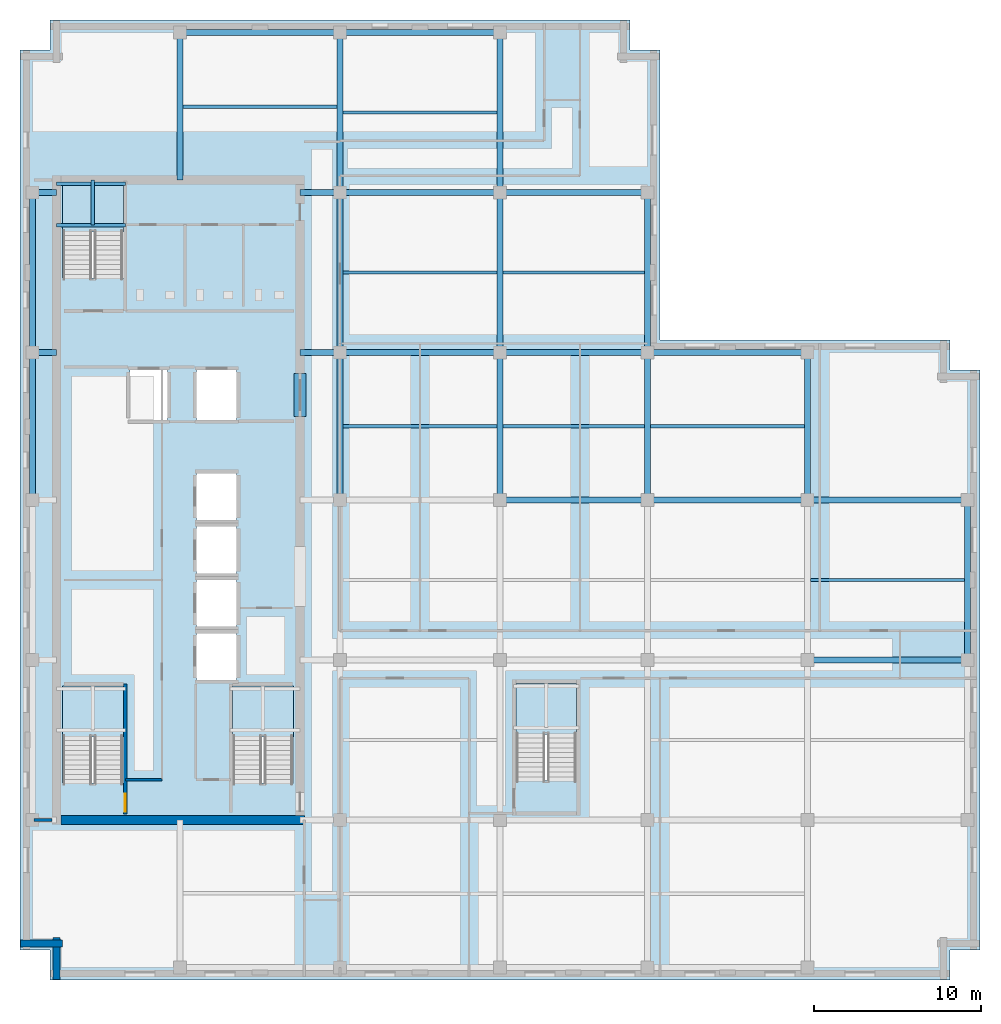
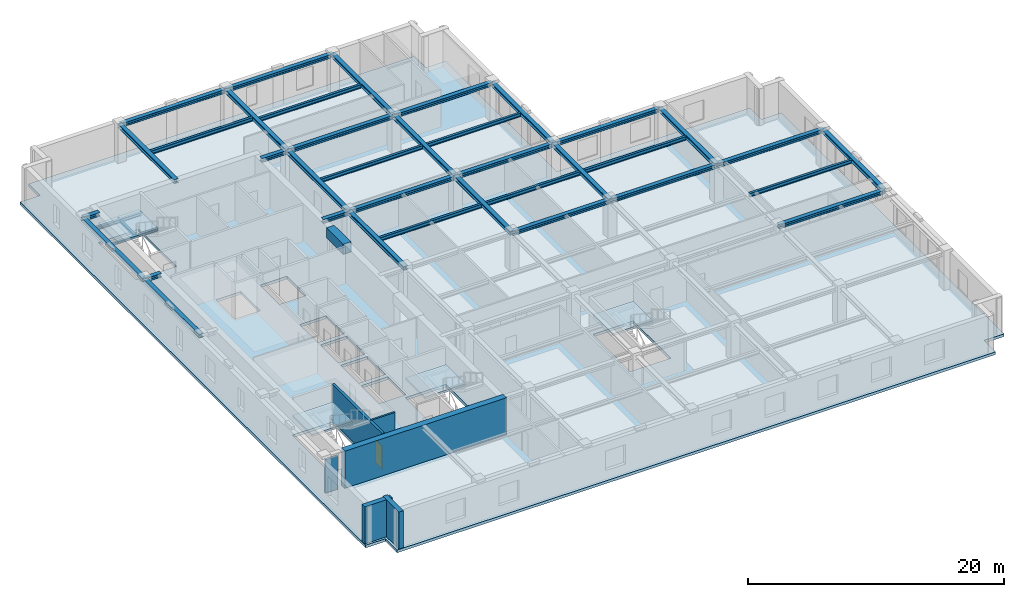
# One storey, part 2 of 10: 40 beams, 6 walls, 5 slabs, 1 door, 1 opening, 4 elements without a shape of their own.
"""IFC4 building model written with IfcOpenShell, lengths in metres."""

from ifc_helpers import new_model, si_unit, direction, frame, frame_2d, origin, origin_2d, place, context, subcontext, project, spatial, polyline, rectangle, i_section, outline, extrude, material, layer, layer_set, material_profile, profile_set, type_object, element, fill, aggregate, save


model = new_model("IFC4")

# Units and contexts
model_context = context("Model", 3, precision=1e-05, world=origin(), true_north=direction((0.0, 1.0)))
body_context = subcontext(model_context, "Body", "Model", "MODEL_VIEW")
ifc_project = project(units=[si_unit("LENGTHUNIT", "METRE"), si_unit("AREAUNIT", "SQUARE_METRE"), si_unit("VOLUMEUNIT", "CUBIC_METRE"), si_unit("PLANEANGLEUNIT", "RADIAN"), si_unit("MASSUNIT", "GRAM", prefix="KILO")], contexts=[model_context])

# Site, building, storey
site_placement = place(None, origin())
site = spatial("IfcSite", under=ifc_project, at=site_placement, CompositionType="ELEMENT")
building_placement = place(site_placement, origin())
building = spatial("IfcBuilding", under=site, at=building_placement, Name="Norrvale University Quadrangle", CompositionType="ELEMENT")
storey_placement = place(building_placement, frame((0.0, 0.0, 233.199951171875)))
storey = spatial("IfcBuildingStorey", under=building, at=storey_placement, Name="L59", CompositionType="ELEMENT", Elevation=233.199951171875)

# Beams
ifc_material_1 = material(Name="Concrete C80/95", Category="concrete")
ifc_material_profile_1 = material_profile(ifc_material_1, rectangle(XDim=0.699951171875, YDim=0.949951171875, at=origin_2d()), Name="Concrete C80/95")
ifc_profile_set_1 = profile_set([ifc_material_profile_1], Name="Concrete C80/95")
beam_type_1 = type_object("IfcBeamType", Name="Beam Core Link 700x950", PredefinedType="LINTEL", material=ifc_profile_set_1)
beam_1_placement = place(storey_placement, frame((16.800048828125, 33.800048828125, 3.06494140625), z_axis=(0.0, 1.0, 0.0), x_axis=(-1.0, 0.0, 0.0)))
element("IfcBeam", 1, at=beam_1_placement, inside=storey, type_object=beam_type_1, Name="Core Coupling Lintel Beam L59-2", PredefinedType="LINTEL", context=body_context, shape_type="SweptSolid", body=[
    extrude(rectangle(XDim=0.699951171875, YDim=0.949951171875, at=origin_2d()), origin(), (0.0, 0.0, 1.0), 2.599853515625),
])
ifc_material_2 = material(Name="Steel 350W", Category="steel")
ifc_material_profile_2 = material_profile(ifc_material_2, i_section(OverallWidth=0.368896484375, OverallDepth=0.35595703125, WebThickness=0.01123046875, FlangeThickness=0.01806640625, FilletRadius=0.014892578125, at=origin_2d()), Name="Steel 350W")
ifc_profile_set_2 = profile_set([ifc_material_profile_2], Name="Steel 350W")
beam_type_2 = type_object("IfcBeamType", Name="Beam Crown W360x134", PredefinedType="BEAM", material=ifc_profile_set_2)
beam_2_placement = place(storey_placement, frame((47.25, 19.199951171875, 3.362060546875), z_axis=(1.0, 0.0, 0.0), x_axis=(0.0, 1.0, 0.0)))
element("IfcBeam", 2, at=beam_2_placement, inside=storey, type_object=beam_type_2, Name="Beam Crown W360x134 BM-L59-GX012", PredefinedType="BEAM", context=body_context, shape_type="SweptSolid", body=[
    extrude(i_section(OverallWidth=0.368896484375, OverallDepth=0.35595703125, WebThickness=0.01123046875, FlangeThickness=0.01806640625, FilletRadius=0.014892578125, at=origin_2d()), origin(), (0.0, 0.0, 1.0), 9.60009765625),
])
beam_3_placement = place(storey_placement, frame((28.800048828125, 28.800048828125, 3.362060546875), z_axis=(1.0, 0.0, 0.0), x_axis=(0.0, 1.0, 0.0)))
element("IfcBeam", 3, at=beam_3_placement, inside=storey, type_object=beam_type_2, Name="Beam Crown W360x134 BM-L59-GX014", PredefinedType="BEAM", context=body_context, shape_type="SweptSolid", body=[
    extrude(i_section(OverallWidth=0.368896484375, OverallDepth=0.35595703125, WebThickness=0.01123046875, FlangeThickness=0.01806640625, FilletRadius=0.014892578125, at=origin_2d()), origin(), (0.0, 0.0, 1.0), 8.849853515625),
])
for number, where, z_axis, x_axis, name in (
    (4, (37.64990234375, 28.800048828125, 3.362060546875), (1.0, 0.0, 0.0), (0.0, 1.0, 0.0), "Beam Crown W360x134 BM-L59-GX015"),
    (5, (47.25, 28.800048828125, 3.362060546875), (1.0, 0.0, 0.0), (0.0, 1.0, 0.0), "Beam Crown W360x134 BM-L59-GX016"),
    (6, (19.199951171875, 37.64990234375, 3.362060546875), (1.0, 0.0, 0.0), (0.0, 1.0, 0.0), "Beam Crown W360x134 BM-L59-GX017"),
):
    element("IfcBeam", number, at=place(storey_placement, frame(where, z_axis=z_axis, x_axis=x_axis)), inside=storey, type_object=beam_type_2, Name=name, PredefinedType="BEAM", context=body_context, shape_type="SweptSolid", body=[
        extrude(i_section(OverallWidth=0.368896484375, OverallDepth=0.35595703125, WebThickness=0.01123046875, FlangeThickness=0.01806640625, FilletRadius=0.014892578125, at=origin_2d()), origin(), (0.0, 0.0, 1.0), 9.60009765625),
    ])
beam_4_placement = place(storey_placement, frame((28.800048828125, 37.64990234375, 3.362060546875), z_axis=(1.0, 0.0, 0.0), x_axis=(0.0, 1.0, 0.0)))
element("IfcBeam", 7, at=beam_4_placement, inside=storey, type_object=beam_type_2, Name="Beam Crown W360x134 BM-L59-GX018", PredefinedType="BEAM", context=body_context, shape_type="SweptSolid", body=[
    extrude(i_section(OverallWidth=0.368896484375, OverallDepth=0.35595703125, WebThickness=0.01123046875, FlangeThickness=0.01806640625, FilletRadius=0.014892578125, at=origin_2d()), origin(), (0.0, 0.0, 1.0), 8.849853515625),
])
for number, where, z_axis, x_axis, name in (
    (8, (37.64990234375, 37.64990234375, 3.362060546875), (1.0, 0.0, 0.0), (0.0, 1.0, 0.0), "Beam Crown W360x134 BM-L59-GX019"),
    (9, (19.199951171875, 47.25, 3.362060546875), (1.0, 0.0, 0.0), (0.0, 1.0, 0.0), "Beam Crown W360x134 BM-L59-GX020"),
):
    element("IfcBeam", number, at=place(storey_placement, frame(where, z_axis=z_axis, x_axis=x_axis)), inside=storey, type_object=beam_type_2, Name=name, PredefinedType="BEAM", context=body_context, shape_type="SweptSolid", body=[
        extrude(i_section(OverallWidth=0.368896484375, OverallDepth=0.35595703125, WebThickness=0.01123046875, FlangeThickness=0.01806640625, FilletRadius=0.014892578125, at=origin_2d()), origin(), (0.0, 0.0, 1.0), 9.60009765625),
    ])
beam_5_placement = place(storey_placement, frame((28.800048828125, 47.25, 3.362060546875), z_axis=(1.0, 0.0, 0.0), x_axis=(0.0, 1.0, 0.0)))
element("IfcBeam", 10, at=beam_5_placement, inside=storey, type_object=beam_type_2, Name="Beam Crown W360x134 BM-L59-GX021", PredefinedType="BEAM", context=body_context, shape_type="SweptSolid", body=[
    extrude(i_section(OverallWidth=0.368896484375, OverallDepth=0.35595703125, WebThickness=0.01123046875, FlangeThickness=0.01806640625, FilletRadius=0.014892578125, at=origin_2d()), origin(), (0.0, 0.0, 1.0), 8.849853515625),
])
beam_6_placement = place(storey_placement, frame((9.60009765625, 56.85009765625, 3.362060546875), z_axis=(1.0, 0.0, 0.0), x_axis=(0.0, 1.0, 0.0)))
element("IfcBeam", 11, at=beam_6_placement, inside=storey, type_object=beam_type_2, Name="Beam Crown W360x134 BM-L59-GX022", PredefinedType="BEAM", context=body_context, shape_type="SweptSolid", body=[
    extrude(i_section(OverallWidth=0.368896484375, OverallDepth=0.35595703125, WebThickness=0.01123046875, FlangeThickness=0.01806640625, FilletRadius=0.014892578125, at=origin_2d()), origin(), (0.0, 0.0, 1.0), 9.599853515625),
])
beam_7_placement = place(storey_placement, frame((19.199951171875, 56.85009765625, 3.362060546875), z_axis=(1.0, 0.0, 0.0), x_axis=(0.0, 1.0, 0.0)))
element("IfcBeam", 12, at=beam_7_placement, inside=storey, type_object=beam_type_2, Name="Beam Crown W360x134 BM-L59-GX023", PredefinedType="BEAM", context=body_context, shape_type="SweptSolid", body=[
    extrude(i_section(OverallWidth=0.368896484375, OverallDepth=0.35595703125, WebThickness=0.01123046875, FlangeThickness=0.01806640625, FilletRadius=0.014892578125, at=origin_2d()), origin(), (0.0, 0.0, 1.0), 9.60009765625),
])
beam_8_placement = place(storey_placement, frame((0.75, 28.800048828125, 3.362060546875), z_axis=(0.0, 1.0, 0.0), x_axis=(-1.0, 0.0, 0.0)))
element("IfcBeam", 13, at=beam_8_placement, inside=storey, type_object=beam_type_2, Name="Beam Crown W360x134 BM-L59-GY026", PredefinedType="BEAM", context=body_context, shape_type="SweptSolid", body=[
    extrude(i_section(OverallWidth=0.368896484375, OverallDepth=0.35595703125, WebThickness=0.01123046875, FlangeThickness=0.01806640625, FilletRadius=0.014892578125, at=origin_2d()), origin(), (0.0, 0.0, 1.0), 8.849853515625),
])
beam_9_placement = place(storey_placement, frame((0.75, 37.64990234375, 3.362060546875), z_axis=(0.0, 1.0, 0.0), x_axis=(-1.0, 0.0, 0.0)))
element("IfcBeam", 14, at=beam_9_placement, inside=storey, type_object=beam_type_2, Name="Beam Crown W360x134 BM-L59-GY027", PredefinedType="BEAM", context=body_context, shape_type="SweptSolid", body=[
    extrude(i_section(OverallWidth=0.368896484375, OverallDepth=0.35595703125, WebThickness=0.01123046875, FlangeThickness=0.01806640625, FilletRadius=0.014892578125, at=origin_2d()), origin(), (0.0, 0.0, 1.0), 9.60009765625),
])
beam_10_placement = place(storey_placement, frame((19.199951171875, 28.800048828125, 3.362060546875), z_axis=(0.0, 1.0, 0.0), x_axis=(-1.0, 0.0, 0.0)))
element("IfcBeam", 15, at=beam_10_placement, inside=storey, type_object=beam_type_2, Name="Beam Crown W360x134 BM-L59-GY031", PredefinedType="BEAM", context=body_context, shape_type="SweptSolid", body=[
    extrude(i_section(OverallWidth=0.368896484375, OverallDepth=0.35595703125, WebThickness=0.01123046875, FlangeThickness=0.01806640625, FilletRadius=0.014892578125, at=origin_2d()), origin(), (0.0, 0.0, 1.0), 8.849853515625),
])
for number, where, z_axis, x_axis, name in (
    (16, (19.199951171875, 37.64990234375, 3.362060546875), (0.0, 1.0, 0.0), (-1.0, 0.0, 0.0), "Beam Crown W360x134 BM-L59-GY032"),
    (17, (19.199951171875, 47.25, 3.362060546875), (0.0, 1.0, 0.0), (-1.0, 0.0, 0.0), "Beam Crown W360x134 BM-L59-GY033"),
):
    element("IfcBeam", number, at=place(storey_placement, frame(where, z_axis=z_axis, x_axis=x_axis)), inside=storey, type_object=beam_type_2, Name=name, PredefinedType="BEAM", context=body_context, shape_type="SweptSolid", body=[
        extrude(i_section(OverallWidth=0.368896484375, OverallDepth=0.35595703125, WebThickness=0.01123046875, FlangeThickness=0.01806640625, FilletRadius=0.014892578125, at=origin_2d()), origin(), (0.0, 0.0, 1.0), 9.60009765625),
    ])
beam_11_placement = place(storey_placement, frame((28.800048828125, 28.800048828125, 3.362060546875), z_axis=(0.0, 1.0, 0.0), x_axis=(-1.0, 0.0, 0.0)))
element("IfcBeam", 18, at=beam_11_placement, inside=storey, type_object=beam_type_2, Name="Beam Crown W360x134 BM-L59-GY037", PredefinedType="BEAM", context=body_context, shape_type="SweptSolid", body=[
    extrude(i_section(OverallWidth=0.368896484375, OverallDepth=0.35595703125, WebThickness=0.01123046875, FlangeThickness=0.01806640625, FilletRadius=0.014892578125, at=origin_2d()), origin(), (0.0, 0.0, 1.0), 8.849853515625),
])
for number, where, z_axis, x_axis, name in (
    (19, (28.800048828125, 37.64990234375, 3.362060546875), (0.0, 1.0, 0.0), (-1.0, 0.0, 0.0), "Beam Crown W360x134 BM-L59-GY038"),
    (20, (28.800048828125, 47.25, 3.362060546875), (0.0, 1.0, 0.0), (-1.0, 0.0, 0.0), "Beam Crown W360x134 BM-L59-GY039"),
):
    element("IfcBeam", number, at=place(storey_placement, frame(where, z_axis=z_axis, x_axis=x_axis)), inside=storey, type_object=beam_type_2, Name=name, PredefinedType="BEAM", context=body_context, shape_type="SweptSolid", body=[
        extrude(i_section(OverallWidth=0.368896484375, OverallDepth=0.35595703125, WebThickness=0.01123046875, FlangeThickness=0.01806640625, FilletRadius=0.014892578125, at=origin_2d()), origin(), (0.0, 0.0, 1.0), 9.60009765625),
    ])
beam_12_placement = place(storey_placement, frame((37.64990234375, 28.800048828125, 3.362060546875), z_axis=(0.0, 1.0, 0.0), x_axis=(-1.0, 0.0, 0.0)))
element("IfcBeam", 21, at=beam_12_placement, inside=storey, type_object=beam_type_2, Name="Beam Crown W360x134 BM-L59-GY043", PredefinedType="BEAM", context=body_context, shape_type="SweptSolid", body=[
    extrude(i_section(OverallWidth=0.368896484375, OverallDepth=0.35595703125, WebThickness=0.01123046875, FlangeThickness=0.01806640625, FilletRadius=0.014892578125, at=origin_2d()), origin(), (0.0, 0.0, 1.0), 8.849853515625),
])
beam_13_placement = place(storey_placement, frame((37.64990234375, 37.64990234375, 3.362060546875), z_axis=(0.0, 1.0, 0.0), x_axis=(-1.0, 0.0, 0.0)))
element("IfcBeam", 22, at=beam_13_placement, inside=storey, type_object=beam_type_2, Name="Beam Crown W360x134 BM-L59-GY044", PredefinedType="BEAM", context=body_context, shape_type="SweptSolid", body=[
    extrude(i_section(OverallWidth=0.368896484375, OverallDepth=0.35595703125, WebThickness=0.01123046875, FlangeThickness=0.01806640625, FilletRadius=0.014892578125, at=origin_2d()), origin(), (0.0, 0.0, 1.0), 9.60009765625),
])
beam_14_placement = place(storey_placement, frame((47.25, 28.800048828125, 3.362060546875), z_axis=(0.0, 1.0, 0.0), x_axis=(-1.0, 0.0, 0.0)))
element("IfcBeam", 23, at=beam_14_placement, inside=storey, type_object=beam_type_2, Name="Beam Crown W360x134 BM-L59-GY048", PredefinedType="BEAM", context=body_context, shape_type="SweptSolid", body=[
    extrude(i_section(OverallWidth=0.368896484375, OverallDepth=0.35595703125, WebThickness=0.01123046875, FlangeThickness=0.01806640625, FilletRadius=0.014892578125, at=origin_2d()), origin(), (0.0, 0.0, 1.0), 8.849853515625),
])
beam_15_placement = place(storey_placement, frame((56.85009765625, 19.199951171875, 3.362060546875), z_axis=(0.0, 1.0, 0.0), x_axis=(-1.0, 0.0, 0.0)))
element("IfcBeam", 24, at=beam_15_placement, inside=storey, type_object=beam_type_2, Name="Beam Crown W360x134 BM-L59-GY050", PredefinedType="BEAM", context=body_context, shape_type="SweptSolid", body=[
    extrude(i_section(OverallWidth=0.368896484375, OverallDepth=0.35595703125, WebThickness=0.01123046875, FlangeThickness=0.01806640625, FilletRadius=0.014892578125, at=origin_2d()), origin(), (0.0, 0.0, 1.0), 9.60009765625),
])
beam_16_placement = place(storey_placement, frame((0.75, 37.64990234375, 3.362060546875), z_axis=(1.0, 0.0, 0.0), x_axis=(0.0, 1.0, 0.0)))
element("IfcBeam", 25, at=beam_16_placement, inside=storey, type_object=beam_type_2, Name="Beam Crown W360x134 BM-L59-GCW057", PredefinedType="BEAM", context=body_context, shape_type="SweptSolid", body=[
    extrude(i_section(OverallWidth=0.368896484375, OverallDepth=0.35595703125, WebThickness=0.01123046875, FlangeThickness=0.01806640625, FilletRadius=0.014892578125, at=origin_2d()), origin(), (0.0, 0.0, 1.0), 1.449951171875),
])
beam_17_placement = place(storey_placement, frame((16.800048828125, 37.64990234375, 3.362060546875), z_axis=(1.0, 0.0, 0.0), x_axis=(0.0, 1.0, 0.0)))
element("IfcBeam", 26, at=beam_17_placement, inside=storey, type_object=beam_type_2, Name="Beam Crown W360x134 BM-L59-GCE058", PredefinedType="BEAM", context=body_context, shape_type="SweptSolid", body=[
    extrude(i_section(OverallWidth=0.368896484375, OverallDepth=0.35595703125, WebThickness=0.01123046875, FlangeThickness=0.01806640625, FilletRadius=0.014892578125, at=origin_2d()), origin(), (0.0, 0.0, 1.0), 2.39990234375),
])
beam_18_placement = place(storey_placement, frame((0.75, 47.25, 3.362060546875), z_axis=(1.0, 0.0, 0.0), x_axis=(0.0, 1.0, 0.0)))
element("IfcBeam", 27, at=beam_18_placement, inside=storey, type_object=beam_type_2, Name="Beam Crown W360x134 BM-L59-GCW059", PredefinedType="BEAM", context=body_context, shape_type="SweptSolid", body=[
    extrude(i_section(OverallWidth=0.368896484375, OverallDepth=0.35595703125, WebThickness=0.01123046875, FlangeThickness=0.01806640625, FilletRadius=0.014892578125, at=origin_2d()), origin(), (0.0, 0.0, 1.0), 1.449951171875),
])
beam_19_placement = place(storey_placement, frame((16.800048828125, 47.25, 3.362060546875), z_axis=(1.0, 0.0, 0.0), x_axis=(0.0, 1.0, 0.0)))
element("IfcBeam", 28, at=beam_19_placement, inside=storey, type_object=beam_type_2, Name="Beam Crown W360x134 BM-L59-GCE060", PredefinedType="BEAM", context=body_context, shape_type="SweptSolid", body=[
    extrude(i_section(OverallWidth=0.368896484375, OverallDepth=0.35595703125, WebThickness=0.01123046875, FlangeThickness=0.01806640625, FilletRadius=0.014892578125, at=origin_2d()), origin(), (0.0, 0.0, 1.0), 2.39990234375),
])
beam_20_placement = place(storey_placement, frame((9.60009765625, 48.0, 3.362060546875), z_axis=(0.0, 1.0, 0.0), x_axis=(-1.0, 0.0, 0.0)))
element("IfcBeam", 29, at=beam_20_placement, inside=storey, type_object=beam_type_2, Name="Beam Crown W360x134 BM-L59-GCN079", PredefinedType="BEAM", context=body_context, shape_type="SweptSolid", body=[
    extrude(i_section(OverallWidth=0.368896484375, OverallDepth=0.35595703125, WebThickness=0.01123046875, FlangeThickness=0.01806640625, FilletRadius=0.014892578125, at=origin_2d()), origin(), (0.0, 0.0, 1.0), 8.85009765625),
])
ifc_material_profile_3 = material_profile(ifc_material_2, i_section(OverallWidth=0.205078125, OverallDepth=0.35400390625, WebThickness=0.009521484375, FlangeThickness=0.016845703125, FilletRadius=0.011962890625, at=origin_2d()), Name="Steel 350W")
ifc_profile_set_3 = profile_set([ifc_material_profile_3], Name="Steel 350W")
beam_type_3 = type_object("IfcBeamType", Name="Beam Crown W360x79", PredefinedType="BEAM", material=ifc_profile_set_3)
for number, where, z_axis, x_axis, name in (
    (30, (19.384521484375, 33.22509765625, 3.363037109375), (1.0, 0.0, 0.0), (0.0, 1.0, 0.0), "Beam Crown W360x79 BM-L59-J064"),
    (31, (19.384521484375, 42.449951171875, 3.363037109375), (1.0, 0.0, 0.0), (0.0, 1.0, 0.0), "Beam Crown W360x79 BM-L59-J065"),
    (32, (19.384521484375, 52.050048828125, 3.363037109375), (1.0, 0.0, 0.0), (0.0, 1.0, 0.0), "Beam Crown W360x79 BM-L59-J066"),
):
    element("IfcBeam", number, at=place(storey_placement, frame(where, z_axis=z_axis, x_axis=x_axis)), inside=storey, type_object=beam_type_3, Name=name, PredefinedType="BEAM", context=body_context, shape_type="SweptSolid", body=[
        extrude(i_section(OverallWidth=0.205078125, OverallDepth=0.35400390625, WebThickness=0.009521484375, FlangeThickness=0.016845703125, FilletRadius=0.011962890625, at=origin_2d()), origin(), (0.0, 0.0, 1.0), 9.23095703125),
    ])
for number, where, z_axis, x_axis, name in (
    (33, (28.984619140625, 33.22509765625, 3.363037109375), (1.0, 0.0, 0.0), (0.0, 1.0, 0.0), "Beam Crown W360x79 BM-L59-J069"),
    (34, (28.984619140625, 42.449951171875, 3.363037109375), (1.0, 0.0, 0.0), (0.0, 1.0, 0.0), "Beam Crown W360x79 BM-L59-J070"),
):
    element("IfcBeam", number, at=place(storey_placement, frame(where, z_axis=z_axis, x_axis=x_axis)), inside=storey, type_object=beam_type_3, Name=name, PredefinedType="BEAM", context=body_context, shape_type="SweptSolid", body=[
        extrude(i_section(OverallWidth=0.205078125, OverallDepth=0.35400390625, WebThickness=0.009521484375, FlangeThickness=0.016845703125, FilletRadius=0.011962890625, at=origin_2d()), origin(), (0.0, 0.0, 1.0), 8.48095703125),
    ])
for number, where, z_axis, x_axis, name in (
    (35, (37.83447265625, 33.22509765625, 3.363037109375), (1.0, 0.0, 0.0), (0.0, 1.0, 0.0), "Beam Crown W360x79 BM-L59-J074"),
    (36, (47.4345703125, 24.0, 3.363037109375), (1.0, 0.0, 0.0), (0.0, 1.0, 0.0), "Beam Crown W360x79 BM-L59-J076"),
    (37, (9.784423828125, 52.39990234375, 3.363037109375), (1.0, 0.0, 0.0), (0.0, 1.0, 0.0), "Beam Crown W360x79 BM-L59-JCN080"),
):
    element("IfcBeam", number, at=place(storey_placement, frame(where, z_axis=z_axis, x_axis=x_axis)), inside=storey, type_object=beam_type_3, Name=name, PredefinedType="BEAM", context=body_context, shape_type="SweptSolid", body=[
        extrude(i_section(OverallWidth=0.205078125, OverallDepth=0.35400390625, WebThickness=0.009521484375, FlangeThickness=0.016845703125, FilletRadius=0.011962890625, at=origin_2d()), origin(), (0.0, 0.0, 1.0), 9.23095703125),
    ])
ifc_material_profile_4 = material_profile(ifc_material_2, i_section(OverallWidth=0.201904296875, OverallDepth=0.2470703125, WebThickness=0.00732421875, FlangeThickness=0.010986328125, FilletRadius=0.011962890625, at=origin_2d()), Name="Steel 350W")
ifc_profile_set_4 = profile_set([ifc_material_profile_4], Name="Steel 350W")
beam_type_4 = type_object("IfcBeamType", Name="Beam Stair W250x49", PredefinedType="BEAM", material=ifc_profile_set_4)
for number, where, z_axis, x_axis, name in (
    (38, (2.199951171875, 45.2900390625, 1.57666015625), (1.0, 0.0, 0.0), (0.0, 1.0, 0.0), "Stair Mid-Landing Front Beam ST-02 L59"),
    (39, (2.199951171875, 47.77001953125, 1.57666015625), (1.0, 0.0, 0.0), (0.0, 1.0, 0.0), "Stair Mid-Landing Rear Beam ST-02 L59"),
):
    element("IfcBeam", number, at=place(storey_placement, frame(where, z_axis=z_axis, x_axis=x_axis)), inside=storey, type_object=beam_type_4, Name=name, PredefinedType="BEAM", context=body_context, shape_type="SweptSolid", body=[
        extrude(i_section(OverallWidth=0.201904296875, OverallDepth=0.2470703125, WebThickness=0.00732421875, FlangeThickness=0.010986328125, FilletRadius=0.011962890625, at=origin_2d()), origin(), (0.0, 0.0, 1.0), 4.14013671875),
    ])
ifc_material_profile_5 = material_profile(ifc_material_2, i_section(OverallWidth=0.202880859375, OverallDepth=0.202880859375, WebThickness=0.007080078125, FlangeThickness=0.010986328125, FilletRadius=0.010009765625, at=origin_2d()), Name="Steel 350W")
ifc_profile_set_5 = profile_set([ifc_material_profile_5], Name="Steel 350W")
beam_type_5 = type_object("IfcBeamType", Name="Beam Trim W200x46", PredefinedType="BEAM", material=ifc_profile_set_5)
beam_21_placement = place(storey_placement, frame((4.375, 45.2900390625, 1.5986328125), z_axis=(0.0, 1.0, 0.0), x_axis=(-1.0, 0.0, 0.0)))
element("IfcBeam", 40, at=beam_21_placement, inside=storey, type_object=beam_type_5, Name="Stair Mid-Landing Cross Beam ST-02 L59", PredefinedType="BEAM", context=body_context, shape_type="SweptSolid", body=[
    extrude(i_section(OverallWidth=0.202880859375, OverallDepth=0.202880859375, WebThickness=0.007080078125, FlangeThickness=0.010986328125, FilletRadius=0.010009765625, at=origin_2d()), origin(), (0.0, 0.0, 1.0), 2.7099609375),
])

# Stair, slab
ifc_material_3 = material(Name="Concrete C40/50", Category="concrete")
stair_type = type_object("IfcStairType", Name="Stair Tower Typ 3800", PredefinedType="TWO_STRAIGHT_RUN_STAIR", material=ifc_material_3)
stair_1_placement = place(storey_placement, origin())
stair_1 = element("IfcStair", 41, at=stair_1_placement, inside=storey, type_object=stair_type, Name="Exit Stair ST-01 L59", PredefinedType="TWO_STRAIGHT_RUN_STAIR")
ifc_layer_1 = layer(ifc_material_3, 0.199951171875, Name="Concrete C40/50")
ifc_layer_set_1 = layer_set([ifc_layer_1], Name="Concrete C40/50")
slab_type_1 = type_object("IfcSlabType", Name="Slab Landing 200", PredefinedType="LANDING", material=ifc_layer_set_1)
slab_1_placement = place(storey_placement, frame((0.0, 0.0, 1.699951171875)))
slab_1 = element("IfcSlab", 42, at=slab_1_placement, type_object=slab_type_1, Name="Exit Stair ST-01 L59 Mid Landing", PredefinedType="LANDING", context=body_context, shape_type="SweptSolid", body=[
    extrude(outline(polyline([(2.550048828125, 14.590087890625), (6.199951171875, 14.590087890625), (6.199951171875, 17.64990234375), (2.550048828125, 17.64990234375), (2.550048828125, 14.590087890625)])), origin(), (0.0, 0.0, 1.0), 0.2001953125),
])
aggregate(stair_1, [slab_1])

stair_2_placement = place(storey_placement, origin())
stair_2 = element("IfcStair", 43, at=stair_2_placement, inside=storey, type_object=stair_type, Name="Exit Stair ST-02 L59", PredefinedType="TWO_STRAIGHT_RUN_STAIR")
slab_2_placement = place(storey_placement, frame((0.0, 0.0, 1.699951171875)))
slab_2 = element("IfcSlab", 44, at=slab_2_placement, type_object=slab_type_1, Name="Exit Stair ST-02 L59 Mid Landing", PredefinedType="LANDING", context=body_context, shape_type="SweptSolid", body=[
    extrude(outline(polyline([(2.550048828125, 44.889892578125), (6.199951171875, 44.889892578125), (6.199951171875, 47.949951171875), (2.550048828125, 47.949951171875), (2.550048828125, 44.889892578125)])), origin(), (0.0, 0.0, 1.0), 0.2001953125),
])
aggregate(stair_2, [slab_2])

stair_3_placement = place(storey_placement, origin())
stair_3 = element("IfcStair", 45, at=stair_3_placement, inside=storey, type_object=stair_type, Name="Exit Stair ST-03 L59", PredefinedType="TWO_STRAIGHT_RUN_STAIR")
slab_3_placement = place(storey_placement, frame((0.0, 0.0, 1.699951171875)))
slab_3 = element("IfcSlab", 46, at=slab_3_placement, type_object=slab_type_1, Name="Exit Stair ST-03 L59 Mid Landing", PredefinedType="LANDING", context=body_context, shape_type="SweptSolid", body=[
    extrude(outline(polyline([(12.75, 14.590087890625), (16.39990234375, 14.590087890625), (16.39990234375, 17.64990234375), (12.75, 17.64990234375), (12.75, 14.590087890625)])), origin(), (0.0, 0.0, 1.0), 0.2001953125),
])
aggregate(stair_3, [slab_3])

stair_4_placement = place(storey_placement, origin())
stair_4 = element("IfcStair", 47, at=stair_4_placement, inside=storey, type_object=stair_type, Name="Exit Stair ST-04 L59", PredefinedType="TWO_STRAIGHT_RUN_STAIR")
slab_4_placement = place(storey_placement, frame((0.0, 0.0, 1.699951171875)))
slab_4 = element("IfcSlab", 48, at=slab_4_placement, type_object=slab_type_1, Name="Exit Stair ST-04 L59 Mid Landing", PredefinedType="LANDING", context=body_context, shape_type="SweptSolid", body=[
    extrude(outline(polyline([(29.75, 14.739990234375), (33.39990234375, 14.739990234375), (33.39990234375, 17.800048828125), (29.75, 17.800048828125), (29.75, 14.739990234375)])), origin(), (0.0, 0.0, 1.0), 0.2001953125),
])
aggregate(stair_4, [slab_4])

# Slab
ifc_layer_2 = layer(ifc_material_3, 0.260009765625, Name="Concrete C40/50")
ifc_layer_set_2 = layer_set([ifc_layer_2], Name="Concrete C40/50")
slab_type_2 = type_object("IfcSlabType", Name="Slab Tower Typ 260", PredefinedType="FLOOR", material=ifc_layer_set_2)
slab_5_placement = place(storey_placement, frame((0.0, 0.0, -0.260009765625)))
element("IfcSlab", 49, at=slab_5_placement, inside=storey, type_object=slab_type_2, Name="Tower L59 Floor Slab", PredefinedType="FLOOR", context=body_context, shape_type="SweptSolid", body=[
    extrude(outline(polyline([(1.800048828125, 0.0), (55.800048828125, 0.0), (55.800048828125, 1.800048828125), (57.60009765625, 1.800048828125), (57.60009765625, 36.60009765625), (55.800048828125, 36.60009765625), (55.800048828125, 38.39990234375), (38.39990234375, 38.39990234375), (38.39990234375, 55.800048828125), (36.60009765625, 55.800048828125), (36.60009765625, 57.60009765625), (1.800048828125, 57.60009765625), (1.800048828125, 55.800048828125), (0.0, 55.800048828125), (0.0, 1.800048828125), (1.800048828125, 1.800048828125), (1.800048828125, 0.0)]), holes=[polyline([(2.550048828125, 11.81005859375), (6.199951171875, 11.81005859375), (6.199951171875, 17.64990234375), (2.550048828125, 17.64990234375), (2.550048828125, 11.81005859375)]), polyline([(2.550048828125, 42.110107421875), (6.199951171875, 42.110107421875), (6.199951171875, 47.949951171875), (2.550048828125, 47.949951171875), (2.550048828125, 42.110107421875)]), polyline([(12.75, 11.81005859375), (16.39990234375, 11.81005859375), (16.39990234375, 17.64990234375), (12.75, 17.64990234375), (12.75, 11.81005859375)]), polyline([(29.75, 11.9599609375), (33.39990234375, 11.9599609375), (33.39990234375, 17.800048828125), (29.75, 17.800048828125), (29.75, 11.9599609375)]), polyline([(10.60009765625, 18.0), (13.0, 18.0), (13.0, 20.800048828125), (10.60009765625, 20.800048828125), (10.60009765625, 18.0)]), polyline([(10.60009765625, 21.199951171875), (13.0, 21.199951171875), (13.0, 24.0), (10.60009765625, 24.0), (10.60009765625, 21.199951171875)]), polyline([(10.60009765625, 24.39990234375), (13.0, 24.39990234375), (13.0, 27.199951171875), (10.60009765625, 27.199951171875), (10.60009765625, 24.39990234375)]), polyline([(10.60009765625, 27.60009765625), (13.0, 27.60009765625), (13.0, 30.39990234375), (10.60009765625, 30.39990234375), (10.60009765625, 27.60009765625)]), polyline([(6.60009765625, 33.60009765625), (8.85009765625, 33.60009765625), (8.85009765625, 36.60009765625), (6.60009765625, 36.60009765625), (6.60009765625, 33.60009765625)]), polyline([(10.60009765625, 33.60009765625), (13.0, 33.60009765625), (13.0, 36.60009765625), (10.60009765625, 36.60009765625), (10.60009765625, 33.60009765625)])]), origin(), (0.0, 0.0, 1.0), 0.260009765625),
])

# Walls
ifc_material_4 = material(Name="Buff Norman Clay Brick Masonry", Category="masonry")
ifc_layer_3 = layer(ifc_material_4, 0.419921875, Name="Buff Norman Clay Brick Masonry")
ifc_layer_set_3 = layer_set([ifc_layer_3], Name="Buff Norman Clay Brick Masonry")
wall_type_1 = type_object("IfcWallType", Name="Wall Buff Brick 420", PredefinedType="SOLIDWALL", material=ifc_layer_set_3)
for number, where, z_axis, x_axis, name in (
    (50, (0.0400390625, 2.18994140625, 0.0), (0.0, 0.0, 1.0), (1.0, 0.0, 0.0), "Exterior Brick Facade Wall L59-15.1"),
    (51, (2.18994140625, 2.5400390625, 0.0), (0.0, 0.0, 1.0), (0.0, -1.0, 0.0), "Exterior Brick Facade Wall L59-16.1"),
):
    element("IfcWall", number, at=place(storey_placement, frame(where, z_axis=z_axis, x_axis=x_axis)), inside=storey, type_object=wall_type_1, Name=name, PredefinedType="SOLIDWALL", context=body_context, shape_type="SweptSolid", body=[
        extrude(rectangle(XDim=2.5, YDim=0.419921875, at=frame_2d((1.25, 0.0))), origin(), (0.0, 0.0, 1.0), 3.5400390625),
    ])
ifc_material_5 = material(Name="Concrete C60/75", Category="concrete")
ifc_layer_4 = layer(ifc_material_5, 0.550048828125, Name="Concrete C60/75")
ifc_layer_set_4 = layer_set([ifc_layer_4], Name="Concrete C60/75")
wall_type_2 = type_object("IfcWallType", Name="Wall Core 550", PredefinedType="SHEAR", material=ifc_layer_set_4)
wall_1_placement = place(storey_placement, frame((2.47509765625, 9.60009765625, 0.0), z_axis=(0.0, 0.0, 1.0), x_axis=(1.0, 0.0, 0.0)))
element("IfcWall", 52, at=wall_1_placement, inside=storey, type_object=wall_type_2, Name="Tower Core Shear Wall L59-S", PredefinedType="SHEAR", context=body_context, shape_type="SweptSolid", body=[
    extrude(rectangle(XDim=14.599853515625, YDim=0.550048828125, at=frame_2d((7.2998046875, 0.0))), origin(), (0.0, 0.0, 1.0), 3.5400390625),
])
ifc_material_6 = material(Name="Fire-Rated Gypsum Stud Partition")
ifc_layer_5 = layer(ifc_material_6, 0.14990234375, Name="Fire-Rated Gypsum Stud Partition")
ifc_layer_set_5 = layer_set([ifc_layer_5], Name="Fire-Rated Gypsum Stud Partition")
wall_type_3 = type_object("IfcWallType", Name="Wall Gypsum Corridor 150", PredefinedType="PARTITIONING", material=ifc_layer_set_5)
wall_2_placement = place(storey_placement, frame((6.320068359375, 12.02001953125, 0.0), z_axis=(0.0, 0.0, 1.0), x_axis=(1.0, 0.0, 0.0)))
element("IfcWall", 53, at=wall_2_placement, inside=storey, type_object=wall_type_3, Name="Interior Partition WL-L59-REC-S", PredefinedType="PARTITIONING", context=body_context, shape_type="SweptSolid", body=[
    extrude(rectangle(XDim=2.199951171875, YDim=0.14990234375, at=frame_2d((1.10009765625, 0.0))), origin(), (0.0, 0.0, 1.0), 3.5400390625),
])
ifc_material_7 = material(Name="Concrete Blockwork 20 MPa Rated Wall", Category="masonry")
ifc_layer_6 = layer(ifc_material_7, 0.199951171875, Name="Concrete Blockwork 20 MPa Rated Wall")
ifc_layer_set_6 = layer_set([ifc_layer_6], Name="Concrete Blockwork 20 MPa Rated Wall")
wall_type_4 = type_object("IfcWallType", Name="Wall Lobby 200", PredefinedType="SOLIDWALL", material=ifc_layer_set_6)
wall_3_placement = place(storey_placement, frame((0.85009765625, 9.60009765625, 0.0), z_axis=(0.0, 0.0, 1.0), x_axis=(1.0, 0.0, 0.0)))
element("IfcWall", 54, at=wall_3_placement, inside=storey, type_object=wall_type_4, Name="Interior Partition WL-L59-CWRET-S", PredefinedType="SOLIDWALL", context=body_context, shape_type="SweptSolid", body=[
    extrude(rectangle(XDim=1.06982421875, YDim=0.199951171875, at=frame_2d((0.534912109375, 0.0))), origin(), (0.0, 0.0, 1.0), 3.18408203125),
])

# Wall, opening, door
ifc_material_8 = material(Name="Concrete Blockwork 20 MPa Fire Shaft", Category="masonry")
ifc_layer_7 = layer(ifc_material_8, 0.219970703125, Name="Concrete Blockwork 20 MPa Fire Shaft")
ifc_layer_set_7 = layer_set([ifc_layer_7], Name="Concrete Blockwork 20 MPa Fire Shaft")
wall_type_5 = type_object("IfcWallType", Name="Wall Shaft 220", PredefinedType="SOLIDWALL", material=ifc_layer_set_7)
wall_4_placement = place(storey_placement, frame((6.31005859375, 9.949951171875, 0.0), z_axis=(0.0, 0.0, 1.0), x_axis=(0.0, 1.0, 0.0)))
wall_4 = element("IfcWall", 55, at=wall_4_placement, inside=storey, type_object=wall_type_5, Name="Stair ST-01 East Shaft Wall L59", PredefinedType="SOLIDWALL", context=body_context, shape_type="SweptSolid", body=[
    extrude(rectangle(XDim=7.81005859375, YDim=0.219970703125, at=frame_2d((3.905029296875, 0.0))), origin(), (0.0, 0.0, 1.0), 3.5400390625),
])
opening_placement = place(wall_4_placement, frame((0.139892578125, 0.0, 0.0)))
opening = element("IfcOpeningElement", 56, at=opening_placement, cuts=wall_4, Name="Opening D02", PredefinedType="OPENING", context=body_context, shape_type="SweptSolid", body=[
    extrude(rectangle(XDim=1.10009765625, YDim=2.199951171875, at=frame_2d((0.550048828125, 1.10009765625))), frame((0.0, 0.1220703125, 0.0), z_axis=(0.0, -1.0, 0.0), x_axis=(1.0, 0.0, 0.0)), (0.0, 0.0, 1.0), 0.243896484375),
])
ifc_material_9 = material(Name="Hollow Steel 350W Fire Door", Category="steel")
door_type = type_object("IfcDoorType", Name="Door Stair Exit 1100x2200", OperationType="NOTDEFINED", PredefinedType="DOOR", material=ifc_material_9)
door_placement = place(opening_placement, origin())
door = element("IfcDoor", 57, at=door_placement, inside=storey, type_object=door_type, Name="Door Stair Exit 1100x2200 DR-L59-ST01", OperationType="SINGLE_SWING_LEFT", OverallHeight=2.199951171875, OverallWidth=1.10009765625, PredefinedType="DOOR", context=body_context, shape_type="SweptSolid", body=[
    extrude(rectangle(XDim=1.10009765625, YDim=2.199951171875, at=frame_2d((0.550048828125, 1.10009765625))), frame((0.0, 0.02490234375, 0.0), z_axis=(0.0, -1.0, 0.0), x_axis=(1.0, 0.0, 0.0)), (0.0, 0.0, 1.0), 0.050048828125),
])
fill(opening, door)

save(model, "model.ifc")
